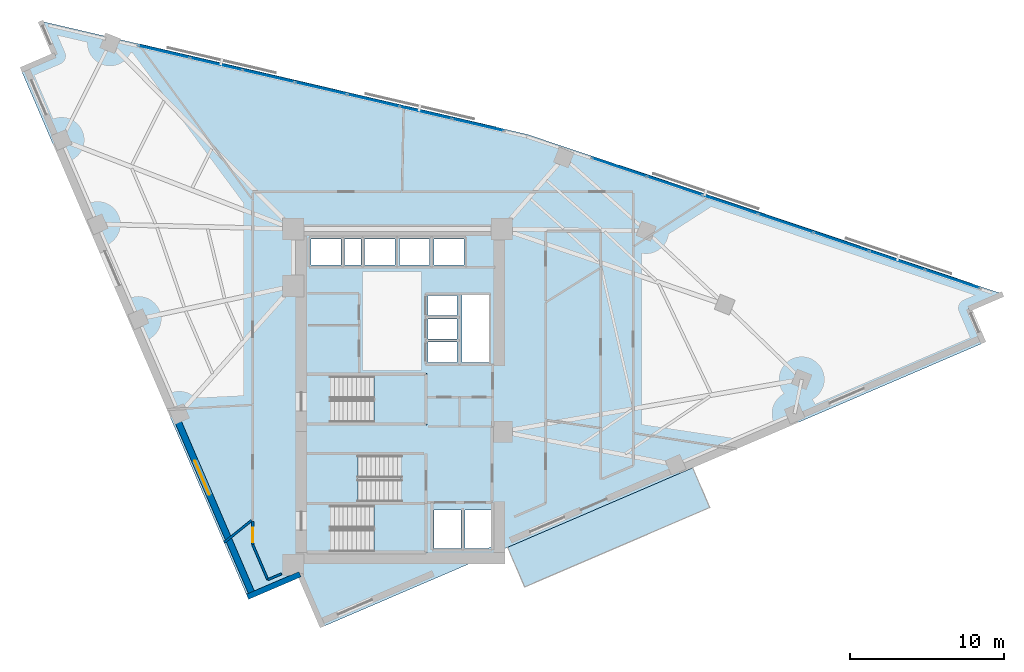
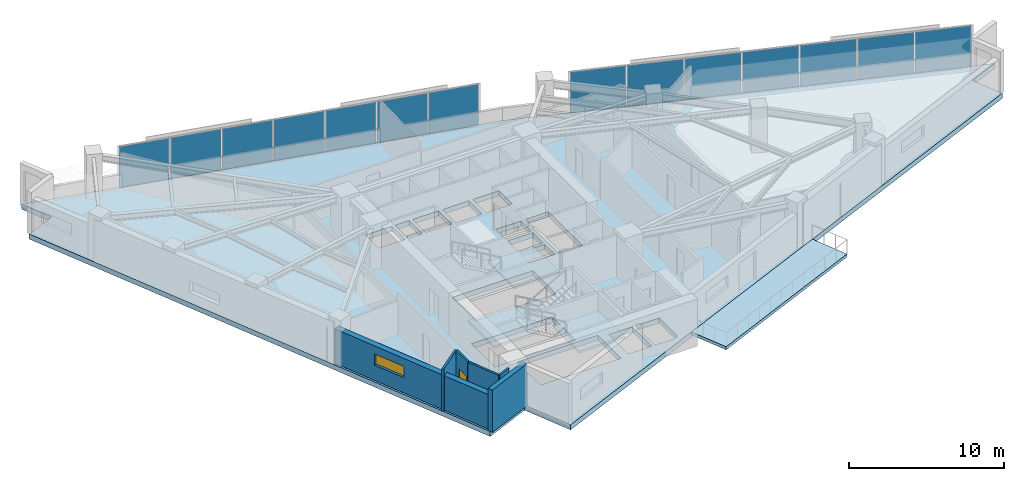
# One storey, part 8 of 13: 16 plates, 6 walls, 5 slabs, 1 door, 1 window, 2 openings, 5 elements without a shape of their own.
"""IFC4 building model written with IfcOpenShell, lengths in metres."""

from ifc_helpers import new_model, si_unit, direction, frame, frame_2d, origin, origin_2d, place, context, subcontext, project, spatial, polyline, rectangle, outline, extrude, material, layer, layer_set, type_object, element, fill, aggregate, save


model = new_model("IFC4")

# Units and contexts
model_context = context("Model", 3, precision=1e-05, world=origin(), true_north=direction((0.0, 1.0)))
body_context = subcontext(model_context, "Body", "Model", "MODEL_VIEW")
ifc_project = project(units=[si_unit("LENGTHUNIT", "METRE"), si_unit("AREAUNIT", "SQUARE_METRE"), si_unit("VOLUMEUNIT", "CUBIC_METRE"), si_unit("PLANEANGLEUNIT", "RADIAN"), si_unit("MASSUNIT", "GRAM", prefix="KILO")], contexts=[model_context])

# Site, building, storey
site_placement = place(None, origin())
site = spatial("IfcSite", under=ifc_project, at=site_placement, CompositionType="ELEMENT")
building_placement = place(site_placement, origin())
building = spatial("IfcBuilding", under=site, at=building_placement, Name="Narakoshi Arena Tower", CompositionType="ELEMENT")
storey_placement = place(building_placement, frame((0.0, 0.0, 164.699951171875)))
storey = spatial("IfcBuildingStorey", under=building, at=storey_placement, Name="L44", CompositionType="ELEMENT", Elevation=164.699951171875)

# Curtain wall, plates
ifc_material_1 = material(Name="Anodised bronze aluminium 6063-T6", Category="aluminium")
curtain_wall_type = type_object("IfcCurtainWallType", Name="CW-HYP-MID", PredefinedType="NOTDEFINED", material=ifc_material_1)
curtain_wall_1_placement = place(storey_placement, origin())
curtain_wall_1 = element("IfcCurtainWall", 1, at=curtain_wall_1_placement, inside=storey, type_object=curtain_wall_type, Name="L44 Folded Hypotenuse Curtain Wall 1-1", PredefinedType="NOTDEFINED")
ifc_material_2 = material(Name="Bronze-tinted low-E laminated glass", Category="glass")
ifc_layer_1 = layer(ifc_material_2, 0.0380859375)
ifc_layer_set_1 = layer_set([ifc_layer_1], Name="Bronze-tinted low-E laminated glass")
plate_type_1 = type_object("IfcPlateType", Name="PLT-GLZ-38", PredefinedType="CURTAIN_PANEL", material=ifc_layer_set_1)
plate_1_placement = place(storey_placement, frame((114.78466796875, 53.2509765625, 0.065185546875), z_axis=(0.0, 0.0, 1.0), x_axis=(-0.948003144077, 0.318260960253, 0.0)))
plate_1 = element("IfcPlate", 2, at=plate_1_placement, type_object=plate_type_1, Name="CW-02 panel 1.1", PredefinedType="CURTAIN_PANEL", context=body_context, shape_type="SweptSolid", body=[
    extrude(rectangle(XDim=3.69287109375, YDim=0.0380859375, at=origin_2d()), origin(), (0.0, 0.0, 1.0), 3.2099609375),
])
plate_2_placement = place(storey_placement, frame((111.19482421875, 54.4560546875, 0.065185546875), z_axis=(0.0, 0.0, 1.0), x_axis=(-0.948003144077, 0.318260960253, 0.0)))
plate_2 = element("IfcPlate", 3, at=plate_2_placement, type_object=plate_type_1, Name="CW-02 panel 2.1", PredefinedType="CURTAIN_PANEL", context=body_context, shape_type="SweptSolid", body=[
    extrude(rectangle(XDim=3.73046875, YDim=0.0380859375, at=origin_2d()), origin(), (0.0, 0.0, 1.0), 3.2099609375),
])
plate_3_placement = place(storey_placement, frame((107.58740234375, 55.667236328125, 0.065185546875), z_axis=(0.0, 0.0, 1.0), x_axis=(-0.948003144077, 0.318260960253, 0.0)))
plate_3 = element("IfcPlate", 4, at=plate_3_placement, type_object=plate_type_1, Name="CW-02 panel 3.1", PredefinedType="CURTAIN_PANEL", context=body_context, shape_type="SweptSolid", body=[
    extrude(rectangle(XDim=3.73046875, YDim=0.0380859375, at=origin_2d()), origin(), (0.0, 0.0, 1.0), 3.2099609375),
])
plate_4_placement = place(storey_placement, frame((103.979736328125, 56.87841796875, 0.065185546875), z_axis=(0.0, 0.0, 1.0), x_axis=(-0.948003144077, 0.318260960253, 0.0)))
plate_4 = element("IfcPlate", 5, at=plate_4_placement, type_object=plate_type_1, Name="CW-02 panel 4.1", PredefinedType="CURTAIN_PANEL", context=body_context, shape_type="SweptSolid", body=[
    extrude(rectangle(XDim=3.73046875, YDim=0.0380859375, at=origin_2d()), origin(), (0.0, 0.0, 1.0), 3.2099609375),
])
plate_5_placement = place(storey_placement, frame((100.3720703125, 58.089599609375, 0.065185546875), z_axis=(0.0, 0.0, 1.0), x_axis=(-0.948003144077, 0.318260960253, 0.0)))
plate_5 = element("IfcPlate", 6, at=plate_5_placement, type_object=plate_type_1, Name="CW-02 panel 5.1", PredefinedType="CURTAIN_PANEL", context=body_context, shape_type="SweptSolid", body=[
    extrude(rectangle(XDim=3.73046875, YDim=0.0380859375, at=origin_2d()), origin(), (0.0, 0.0, 1.0), 3.2099609375),
])
plate_6_placement = place(storey_placement, frame((96.7646484375, 59.300537109375, 0.065185546875), z_axis=(0.0, 0.0, 1.0), x_axis=(-0.948003144077, 0.318260960253, 0.0)))
plate_6 = element("IfcPlate", 7, at=plate_6_placement, type_object=plate_type_1, Name="CW-02 panel 6.1", PredefinedType="CURTAIN_PANEL", context=body_context, shape_type="SweptSolid", body=[
    extrude(rectangle(XDim=3.73046875, YDim=0.0380859375, at=origin_2d()), origin(), (0.0, 0.0, 1.0), 3.2099609375),
])
plate_7_placement = place(storey_placement, frame((93.1748046875, 60.505859375, 0.065185546875), z_axis=(0.0, 0.0, 1.0), x_axis=(-0.948003144077, 0.318260960253, 0.0)))
plate_7 = element("IfcPlate", 8, at=plate_7_placement, type_object=plate_type_1, Name="CW-02 panel 7.1", PredefinedType="CURTAIN_PANEL", context=body_context, shape_type="SweptSolid", body=[
    extrude(rectangle(XDim=3.69287109375, YDim=0.0380859375, at=origin_2d()), origin(), (0.0, 0.0, 1.0), 3.2099609375),
])
aggregate(curtain_wall_1, [plate_1, plate_2, plate_3, plate_4, plate_5, plate_6, plate_7])

curtain_wall_2_placement = place(storey_placement, origin())
curtain_wall_2 = element("IfcCurtainWall", 9, at=curtain_wall_2_placement, inside=storey, type_object=curtain_wall_type, Name="L44 Folded Hypotenuse Curtain Wall 2-1", PredefinedType="NOTDEFINED")
plate_8_placement = place(storey_placement, frame((83.994384765625, 63.260986328125, 0.065185546875), z_axis=(0.0, 0.0, 1.0), x_axis=(-0.973959704148, 0.226721182724, 0.0)))
plate_8 = element("IfcPlate", 10, at=plate_8_placement, type_object=plate_type_1, Name="CW-02 panel 1.1", PredefinedType="CURTAIN_PANEL", context=body_context, shape_type="SweptSolid", body=[
    extrude(rectangle(XDim=3.37939453125, YDim=0.0380859375, at=origin_2d()), origin(), (0.0, 0.0, 1.0), 3.2099609375),
])
plate_9_placement = place(storey_placement, frame((80.61181640625, 64.048583984375, 0.065185546875), z_axis=(0.0, 0.0, 1.0), x_axis=(-0.973959704148, 0.226721182724, 0.0)))
plate_9 = element("IfcPlate", 11, at=plate_9_placement, type_object=plate_type_1, Name="CW-02 panel 2.1", PredefinedType="CURTAIN_PANEL", context=body_context, shape_type="SweptSolid", body=[
    extrude(rectangle(XDim=3.416748046875, YDim=0.0380859375, at=origin_2d()), origin(), (0.0, 0.0, 1.0), 3.2099609375),
])
plate_10_placement = place(storey_placement, frame((77.2109375, 64.840087890625, 0.065185546875), z_axis=(0.0, 0.0, 1.0), x_axis=(-0.973959704148, 0.226721182724, 0.0)))
plate_10 = element("IfcPlate", 12, at=plate_10_placement, type_object=plate_type_1, Name="CW-02 panel 3.1", PredefinedType="CURTAIN_PANEL", context=body_context, shape_type="SweptSolid", body=[
    extrude(rectangle(XDim=3.416748046875, YDim=0.0380859375, at=origin_2d()), origin(), (0.0, 0.0, 1.0), 3.2099609375),
])
plate_11_placement = place(storey_placement, frame((73.81005859375, 65.6318359375, 0.065185546875), z_axis=(0.0, 0.0, 1.0), x_axis=(-0.973959704148, 0.226721182724, 0.0)))
plate_11 = element("IfcPlate", 13, at=plate_11_placement, type_object=plate_type_1, Name="CW-02 panel 4.1", PredefinedType="CURTAIN_PANEL", context=body_context, shape_type="SweptSolid", body=[
    extrude(rectangle(XDim=3.416748046875, YDim=0.0380859375, at=origin_2d()), origin(), (0.0, 0.0, 1.0), 3.2099609375),
])
plate_12_placement = place(storey_placement, frame((70.4091796875, 66.423583984375, 0.065185546875), z_axis=(0.0, 0.0, 1.0), x_axis=(-0.973959704148, 0.226721182724, 0.0)))
plate_12 = element("IfcPlate", 14, at=plate_12_placement, type_object=plate_type_1, Name="CW-02 panel 5.1", PredefinedType="CURTAIN_PANEL", context=body_context, shape_type="SweptSolid", body=[
    extrude(rectangle(XDim=3.416748046875, YDim=0.0380859375, at=origin_2d()), origin(), (0.0, 0.0, 1.0), 3.2099609375),
])
plate_13_placement = place(storey_placement, frame((67.00830078125, 67.215087890625, 0.065185546875), z_axis=(0.0, 0.0, 1.0), x_axis=(-0.973959704148, 0.226721182724, 0.0)))
plate_13 = element("IfcPlate", 15, at=plate_13_placement, type_object=plate_type_1, Name="CW-02 panel 6.1", PredefinedType="CURTAIN_PANEL", context=body_context, shape_type="SweptSolid", body=[
    extrude(rectangle(XDim=3.416748046875, YDim=0.0380859375, at=origin_2d()), origin(), (0.0, 0.0, 1.0), 3.2099609375),
])
plate_14_placement = place(storey_placement, frame((63.625732421875, 68.002685546875, 0.065185546875), z_axis=(0.0, 0.0, 1.0), x_axis=(-0.973959704148, 0.226721182724, 0.0)))
plate_14 = element("IfcPlate", 16, at=plate_14_placement, type_object=plate_type_1, Name="CW-02 panel 7.1", PredefinedType="CURTAIN_PANEL", context=body_context, shape_type="SweptSolid", body=[
    extrude(rectangle(XDim=3.37939453125, YDim=0.0380859375, at=origin_2d()), origin(), (0.0, 0.0, 1.0), 3.2099609375),
])
aggregate(curtain_wall_2, [plate_8, plate_9, plate_10, plate_11, plate_12, plate_13, plate_14])

# Plates
ifc_layer_2 = layer(ifc_material_1, 0.090087890625)
ifc_layer_set_2 = layer_set([ifc_layer_2], Name="Anodised bronze aluminium 6063-T6")
plate_type_2 = type_object("IfcPlateType", Name="PLT-SPD-90", PredefinedType="SHEET", material=ifc_layer_set_2)
plate_15_placement = place(storey_placement, frame((104.5986328125, 56.7548828125, -0.369873046875), z_axis=(0.0, 0.0, 1.0), x_axis=(-0.948001964735, 0.318264473134, 0.0)))
element("IfcPlate", 17, at=plate_15_placement, inside=storey, type_object=plate_type_2, Name="L44 Transfer Fascia Bronze Spandrel Panel 1", PredefinedType="SHEET", context=body_context, shape_type="SweptSolid", body=[
    extrude(rectangle(XDim=24.18603515625, YDim=0.090087890625, at=origin_2d()), origin(), (0.0, 0.0, 1.0), 0.3798828125),
])
plate_16_placement = place(storey_placement, frame((73.60888671875, 65.7607421875, -0.369873046875), z_axis=(0.0, 0.0, 1.0), x_axis=(-0.973960141659, 0.226719303234, 0.0)))
element("IfcPlate", 18, at=plate_16_placement, inside=storey, type_object=plate_type_2, Name="L44 Transfer Fascia Bronze Spandrel Panel 2", PredefinedType="SHEET", context=body_context, shape_type="SweptSolid", body=[
    extrude(rectangle(XDim=23.69287109375, YDim=0.090087890625, at=origin_2d()), origin(), (0.0, 0.0, 1.0), 0.3798828125),
])

# Slab
ifc_material_3 = material(Name="Concrete C45/55", Category="concrete")
ifc_layer_3 = layer(ifc_material_3, 0.39990234375)
ifc_layer_set_3 = layer_set([ifc_layer_3], Name="Concrete C45/55")
slab_type_1 = type_object("IfcSlabType", Name="SLB-CONC-400", PredefinedType="FLOOR", material=ifc_layer_set_3)
slab_1_placement = place(storey_placement, frame((0.0, 0.0, -0.39990234375)))
element("IfcSlab", 19, at=slab_1_placement, inside=storey, type_object=slab_type_1, Name="L44 Structural Floor Slab", PredefinedType="FLOOR", context=body_context, shape_type="SweptSolid", body=[
    extrude(outline(polyline([(73.9169921875, 30.68115234375), (116.8017578125, 49.105712890625), (115.84912109375, 51.3232421875), (118.06640625, 52.27587890625), (87.201416015625, 62.6376953125), (55.614013671875, 69.99072265625), (56.56640625, 67.7734375), (54.34912109375, 66.82080078125), (69.0400390625, 32.626708984375), (72.451416015625, 34.09228515625), (73.9169921875, 30.68115234375)]), holes=[polyline([(80.5, 35.550048828125), (74.47998046875, 35.550048828125), (74.47998046875, 38.550048828125), (80.5, 38.550048828125), (80.5, 35.550048828125)]), polyline([(82.89990234375, 35.75), (81.14990234375, 35.75), (81.14990234375, 38.25), (82.89990234375, 38.25), (82.89990234375, 35.75)]), polyline([(84.5751953125, 35.75), (83.14990234375, 35.75), (83.14990234375, 38.25), (84.89990234375, 38.25), (84.89990234375, 35.889404296875), (84.5751953125, 35.75)]), polyline([(72.949951171875, 38.800048828125), (72.949951171875, 41.800048828125), (78.969970703125, 41.800048828125), (78.969970703125, 38.800048828125), (72.949951171875, 38.800048828125)]), polyline([(74.47998046875, 43.949951171875), (74.47998046875, 46.949951171875), (80.5, 46.949951171875), (80.5, 43.949951171875), (74.47998046875, 43.949951171875)]), polyline([(82.949951171875, 47.840087890625), (82.949951171875, 52.199951171875), (84.699951171875, 52.199951171875), (84.699951171875, 47.840087890625), (82.949951171875, 47.840087890625)]), polyline([(80.75, 47.85009765625), (80.75, 49.14990234375), (82.64990234375, 49.14990234375), (82.64990234375, 47.85009765625), (80.75, 47.85009765625)]), polyline([(80.75, 49.3701171875), (80.75, 50.669921875), (82.64990234375, 50.669921875), (82.64990234375, 49.3701171875), (80.75, 49.3701171875)]), polyline([(80.75, 50.889892578125), (80.75, 52.18994140625), (82.64990234375, 52.18994140625), (82.64990234375, 50.889892578125), (80.75, 50.889892578125)]), polyline([(73.14990234375, 54.14990234375), (73.14990234375, 55.85009765625), (75.10009765625, 55.85009765625), (75.10009765625, 54.14990234375), (73.14990234375, 54.14990234375)]), polyline([(75.35009765625, 54.14990234375), (75.35009765625, 55.85009765625), (76.39990234375, 55.85009765625), (76.39990234375, 54.14990234375), (75.35009765625, 54.14990234375)]), polyline([(76.64990234375, 54.14990234375), (76.64990234375, 55.85009765625), (78.60009765625, 55.85009765625), (78.60009765625, 54.14990234375), (76.64990234375, 54.14990234375)]), polyline([(78.89990234375, 54.14990234375), (78.89990234375, 55.85009765625), (80.85009765625, 55.85009765625), (80.85009765625, 54.14990234375), (78.89990234375, 54.14990234375)]), polyline([(81.14990234375, 54.14990234375), (81.14990234375, 55.85009765625), (83.10009765625, 55.85009765625), (83.10009765625, 54.14990234375), (81.14990234375, 54.14990234375)])]), origin(), (0.0, 0.0, 1.0), 0.39990234375),
])

# Stair, slab
stair_type = type_object("IfcStairType", Name="STR-CORE-360", PredefinedType="TWO_STRAIGHT_RUN_STAIR", material=ifc_material_3)
stair_1_placement = place(storey_placement, origin())
stair_1 = element("IfcStair", 20, at=stair_1_placement, inside=storey, type_object=stair_type, Name="L44 Core Escape Stair ST1", PredefinedType="TWO_STRAIGHT_RUN_STAIR")
ifc_layer_4 = layer(ifc_material_3, 0.18994140625)
ifc_layer_set_4 = layer_set([ifc_layer_4], Name="Concrete C45/55")
slab_type_2 = type_object("IfcSlabType", Name="SLB-LND-190", PredefinedType="LANDING", material=ifc_layer_set_4)
slab_2_placement = place(storey_placement, frame((0.0, 0.0, 1.610107421875)))
slab_2 = element("IfcSlab", 21, at=slab_2_placement, type_object=slab_type_2, Name="ST1 landing 1", PredefinedType="LANDING", context=body_context, shape_type="SweptSolid", body=[
    extrude(outline(polyline([(77.25, 35.3701171875), (80.679931640625, 35.3701171875), (80.679931640625, 38.72998046875), (77.25, 38.72998046875), (77.25, 35.3701171875)])), origin(), (0.0, 0.0, 1.0), 0.18994140625),
])
aggregate(stair_1, [slab_2])

stair_2_placement = place(storey_placement, origin())
stair_2 = element("IfcStair", 22, at=stair_2_placement, inside=storey, type_object=stair_type, Name="L44 Core Escape Stair ST2", PredefinedType="TWO_STRAIGHT_RUN_STAIR")
slab_3_placement = place(storey_placement, frame((0.0, 0.0, 1.610107421875)))
slab_3 = element("IfcSlab", 23, at=slab_3_placement, type_object=slab_type_2, Name="ST2 landing 1", PredefinedType="LANDING", context=body_context, shape_type="SweptSolid", body=[
    extrude(outline(polyline([(72.77001953125, 38.6201171875), (76.199951171875, 38.6201171875), (76.199951171875, 41.97998046875), (72.77001953125, 41.97998046875), (72.77001953125, 38.6201171875)])), origin(), (0.0, 0.0, 1.0), 0.18994140625),
])
aggregate(stair_2, [slab_3])

stair_3_placement = place(storey_placement, origin())
stair_3 = element("IfcStair", 24, at=stair_3_placement, inside=storey, type_object=stair_type, Name="L44 Core Escape Stair ST3", PredefinedType="TWO_STRAIGHT_RUN_STAIR")
slab_4_placement = place(storey_placement, frame((0.0, 0.0, 1.610107421875)))
slab_4 = element("IfcSlab", 25, at=slab_4_placement, type_object=slab_type_2, Name="ST3 landing 1", PredefinedType="LANDING", context=body_context, shape_type="SweptSolid", body=[
    extrude(outline(polyline([(77.25, 43.77001953125), (80.679931640625, 43.77001953125), (80.679931640625, 47.1298828125), (77.25, 47.1298828125), (77.25, 43.77001953125)])), origin(), (0.0, 0.0, 1.0), 0.18994140625),
])
aggregate(stair_3, [slab_4])

# Slab
ifc_layer_5 = layer(ifc_material_3, 0.239990234375)
ifc_layer_set_5 = layer_set([ifc_layer_5], Name="Concrete C45/55")
slab_type_3 = type_object("IfcSlabType", Name="SLB-TERR-240", PredefinedType="ROOF", material=ifc_layer_set_5)
slab_5_placement = place(storey_placement, frame((0.0, 0.0, -0.239990234375)))
element("IfcSlab", 26, at=slab_5_placement, inside=storey, type_object=slab_type_3, Name="L44 Walkable Setback Sky Terrace Slab", PredefinedType="ROOF", context=body_context, shape_type="SweptSolid", body=[
    extrude(outline(polyline([(85.9248046875, 35.840087890625), (87.030029296875, 33.267333984375), (99.037841796875, 38.42626953125), (97.9326171875, 40.998779296875), (85.9248046875, 35.840087890625)])), origin(), (0.0, 0.0, 1.0), 0.239990234375),
])

# Wall, opening, window
ifc_material_4 = material(Name="Precast concrete C45/55", Category="concrete")
ifc_layer_6 = layer(ifc_material_4, 0.419921875)
ifc_layer_set_6 = layer_set([ifc_layer_6], Name="Precast concrete C45/55")
wall_type_1 = type_object("IfcWallType", Name="WL-POD-420", PredefinedType="SOLIDWALL", material=ifc_layer_set_6)
wall_1_placement = place(storey_placement, frame((64.36669921875, 44.390869140625, 0.0), z_axis=(0.0, 0.0, 1.0), x_axis=(0.394757430431, -0.918785378159, 0.0)))
wall_1 = element("IfcWall", 27, at=wall_1_placement, inside=storey, type_object=wall_type_1, Name="L44 Architectural Concrete Facade Wall LEGB-3", PredefinedType="SOLIDWALL", context=body_context, shape_type="SweptSolid", body=[
    extrude(rectangle(XDim=12.653564453125, YDim=0.419921875, at=frame_2d((6.32666015625, 0.0))), origin(), (0.0, 0.0, 1.0), 2.72509765625),
])
opening_1_placement = place(wall_1_placement, frame((3.193115234375, 0.0, 1.199951171875)))
opening_1 = element("IfcOpeningElement", 28, at=opening_1_placement, cuts=wall_1, Name="Opening WN-01", PredefinedType="OPENING", context=body_context, shape_type="SweptSolid", body=[
    extrude(rectangle(XDim=2.39990234375, YDim=0.89990234375, at=frame_2d((1.199951171875, 0.449951171875))), frame((0.0, 0.219970703125, 0.0), z_axis=(0.0, -1.0, 0.0), x_axis=(1.0, 0.0, 0.0)), (0.0, 0.0, 1.0), 0.43994140625),
])
window_type = type_object("IfcWindowType", Name="WIN-SLT-24x09", PartitioningType="SINGLE_PANEL", PredefinedType="WINDOW", material=ifc_material_2)
window_placement = place(opening_1_placement, origin())
window = element("IfcWindow", 29, at=window_placement, inside=storey, type_object=window_type, Name="L44 LEGB3 Horizontal Slot Window 1", OverallHeight=0.89990234375, OverallWidth=2.39990234375, PartitioningType="SINGLE_PANEL", PredefinedType="WINDOW", context=body_context, shape_type="SweptSolid", body=[
    extrude(rectangle(XDim=2.39990234375, YDim=0.89990234375, at=frame_2d((1.199951171875, 0.449951171875))), frame((0.0, 0.030029296875, 0.0), z_axis=(0.0, -1.0, 0.0), x_axis=(1.0, 0.0, 0.0)), (0.0, 0.0, 1.0), 0.06005859375),
])
fill(opening_1, window)

# Walls
wall_2_placement = place(storey_placement, frame((69.0400390625, 32.626708984375, 0.0), z_axis=(0.0, 0.0, 1.0), x_axis=(0.91879775808, 0.394728615312, 0.0)))
element("IfcWall", 30, at=wall_2_placement, inside=storey, type_object=wall_type_1, Name="L44 Re-Entrant Corner Notch Wall NTA-1", PredefinedType="SOLIDWALL", context=body_context, shape_type="SweptSolid", body=[
    extrude(rectangle(XDim=3.712890625, YDim=0.360107421875, at=frame_2d((1.8564453125, 0.0))), origin(), (0.0, 0.0, 1.0), 3.340087890625),
])
ifc_material_5 = material(Name="Moisture-resistant cement-board partition")
ifc_layer_7 = layer(ifc_material_5, 0.14501953125)
ifc_layer_set_7 = layer_set([ifc_layer_7], Name="Moisture-resistant cement-board partition")
wall_type_2 = type_object("IfcWallType", Name="WL-WET-145", PredefinedType="PARTITIONING", material=ifc_layer_set_7)
wall_3_placement = place(storey_placement, frame((69.31494140625, 37.588623046875, 0.0), z_axis=(0.0, 0.0, 1.0), x_axis=(-0.779153593162, -0.626833054539, 0.0)))
element("IfcWall", 31, at=wall_3_placement, inside=storey, type_object=wall_type_2, Name="L44 Inter-Room Partition 01-02", PredefinedType="PARTITIONING", context=body_context, shape_type="SweptSolid", body=[
    extrude(rectangle(XDim=2.295166015625, YDim=0.14501953125, at=frame_2d((1.1474609375, 0.0))), origin(), (0.0, 0.0, 1.0), 3.340087890625),
])
wall_4_placement = place(storey_placement, frame((69.376220703125, 36.0244140625, 0.0), z_axis=(0.0, 0.0, 1.0), x_axis=(0.394712324254, -0.91880475678, 0.0)))
element("IfcWall", 32, at=wall_4_placement, inside=storey, type_object=wall_type_2, Name="L44 Corridor Partition 02-1", PredefinedType="PARTITIONING", context=body_context, shape_type="SweptSolid", body=[
    extrude(rectangle(XDim=2.489013671875, YDim=0.14501953125, at=frame_2d((1.24462890625, 0.0))), origin(), (0.0, 0.0, 1.0), 3.340087890625),
])

# Wall, opening, door
wall_5_placement = place(storey_placement, frame((69.376220703125, 37.527099609375, 0.0), z_axis=(0.0, 0.0, 1.0), x_axis=(0.0, -1.0, 0.0)))
wall_5 = element("IfcWall", 33, at=wall_5_placement, inside=storey, type_object=wall_type_2, Name="L44 Corridor Partition 02-2", PredefinedType="PARTITIONING", context=body_context, shape_type="SweptSolid", body=[
    extrude(rectangle(XDim=1.502685546875, YDim=0.14501953125, at=frame_2d((0.75146484375, 0.0))), origin(), (0.0, 0.0, 1.0), 3.340087890625),
])
opening_2_placement = place(wall_5_placement, frame((0.40625, 0.0, 0.0)))
opening_2 = element("IfcOpeningElement", 34, at=opening_2_placement, cuts=wall_5, Name="Opening D-07", PredefinedType="OPENING", context=body_context, shape_type="SweptSolid", body=[
    extrude(rectangle(XDim=0.949951171875, YDim=2.14990234375, at=frame_2d((0.47509765625, 1.074951171875))), frame((0.0, 0.08251953125, 0.0), z_axis=(0.0, -1.0, 0.0), x_axis=(1.0, 0.0, 0.0)), (0.0, 0.0, 1.0), 0.1650390625),
])
ifc_material_6 = material(Name="Stained oak solid-core timber", Category="wood")
door_type = type_object("IfcDoorType", Name="DR-ACC-950", OperationType="NOTDEFINED", PredefinedType="DOOR", material=ifc_material_6)
door_placement = place(opening_2_placement, frame((0.949951171875, 0.0, 0.0), z_axis=(0.0, 0.0, 1.0), x_axis=(-1.0, 0.0, 0.0)))
door = element("IfcDoor", 35, at=door_placement, inside=storey, type_object=door_type, Name="DR-L44-017", OperationType="SINGLE_SWING_RIGHT", OverallHeight=2.14990234375, OverallWidth=0.949951171875, PredefinedType="DOOR", context=body_context, shape_type="SweptSolid", body=[
    extrude(rectangle(XDim=0.949951171875, YDim=2.14990234375, at=frame_2d((0.47509765625, 1.074951171875))), frame((0.0, 0.02490234375, 0.0), z_axis=(0.0, -1.0, 0.0), x_axis=(1.0, 0.0, 0.0)), (0.0, 0.0, 1.0), 0.050048828125),
])
fill(opening_2, door)

# Wall
wall_6_placement = place(storey_placement, frame((70.358642578125, 33.737548828125, 0.0), z_axis=(0.0, 0.0, 1.0), x_axis=(0.918845364602, 0.394617784633, 0.0)))
element("IfcWall", 36, at=wall_6_placement, inside=storey, type_object=wall_type_2, Name="L44 Corridor Partition 02-3", PredefinedType="PARTITIONING", context=body_context, shape_type="SweptSolid", body=[
    extrude(rectangle(XDim=0.969970703125, YDim=0.14501953125, at=frame_2d((0.48486328125, 0.0))), origin(), (0.0, 0.0, 1.0), 3.340087890625),
])

save(model, "model.ifc")
